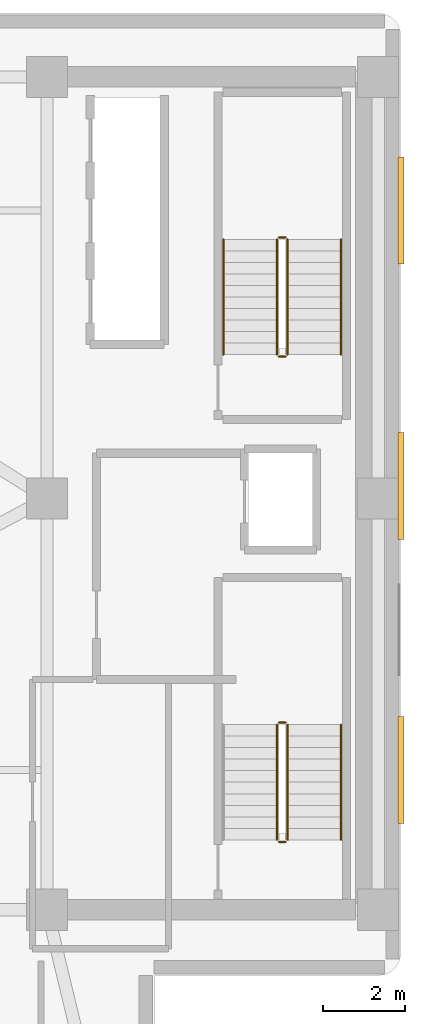
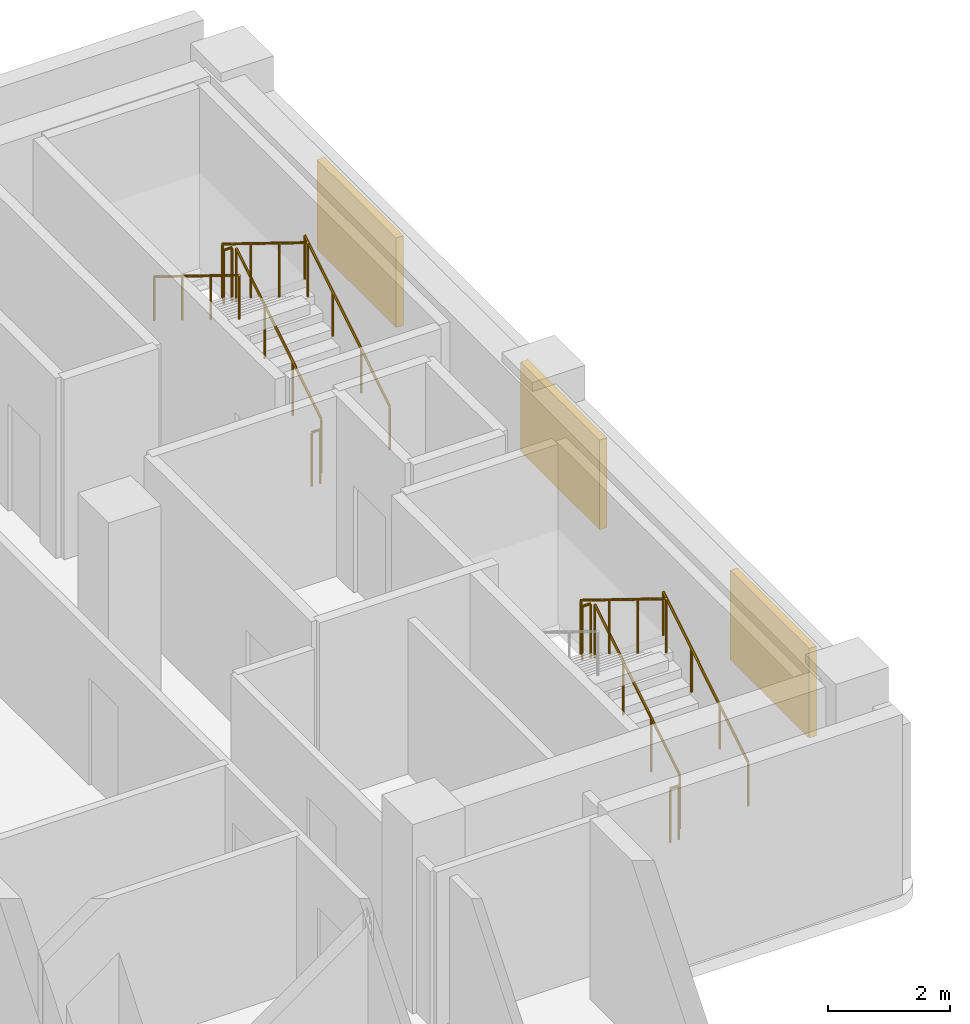
# One storey, part 15 of 15: 11 railings, 3 shading devices.
"""IFC4 building model written with IfcOpenShell, lengths in metres."""

from ifc_helpers import new_model, si_unit, direction, frame, origin, origin_2d, place, context, subcontext, project, spatial, rectangle, circle, extrude, material, layer, layer_set, type_object, element, save


model = new_model("IFC4")

# Units and contexts
model_context = context("Model", 3, precision=1e-05, world=origin(), true_north=direction((0.0, 1.0)))
body_context = subcontext(model_context, "Body", "Model", "MODEL_VIEW")
ifc_project = project(units=[si_unit("LENGTHUNIT", "METRE"), si_unit("AREAUNIT", "SQUARE_METRE"), si_unit("VOLUMEUNIT", "CUBIC_METRE"), si_unit("PLANEANGLEUNIT", "RADIAN"), si_unit("MASSUNIT", "GRAM", prefix="KILO")], contexts=[model_context])

# Site, building, storey
site_placement = place(None, origin())
site = spatial("IfcSite", under=ifc_project, at=site_placement, CompositionType="ELEMENT")
building_placement = place(site_placement, origin())
building = spatial("IfcBuilding", under=site, at=building_placement, Name="Kuzgunbayir Cultural Tower", CompositionType="ELEMENT")
storey_placement = place(building_placement, frame((0.0, 0.0, 39.800048828125)))
storey = spatial("IfcBuildingStorey", under=building, at=storey_placement, Name="L10", CompositionType="ELEMENT", Elevation=39.800048828125)

# Railings
ifc_material_1 = material(Name="Brushed Stainless Steel", Category="steel")
ifc_layer_1 = layer(ifc_material_1, 0.050048828125)
ifc_layer_set_1 = layer_set([ifc_layer_1], Name="Brushed Stainless Steel")
railing_type_1 = type_object("IfcRailingType", Name="RLG-STAIR-HANDRAIL", PredefinedType="HANDRAIL", material=ifc_layer_set_1)
for number, where, name in (
    (1, (71.75, 23.699951171875, 0.172607421875), "L10 ST-3 stair handrail 1"),
    (2, (71.75, 35.5, 0.172607421875), "L10 ST-4 stair handrail 1"),
):
    element("IfcRailing", number, at=place(storey_placement, frame(where)), inside=storey, type_object=railing_type_1, Name=name, PredefinedType="HANDRAIL", context=body_context, shape_type="SweptSolid", body=[
        extrude(circle(Radius=0.02392578125, at=origin_2d()), frame((0.0, 0.0, 0.8759765625), z_axis=(0.0, 0.851089632645, 0.525020415988), x_axis=(-1.0, 0.0, 0.0)), (0.0, 0.0, 1.0), 3.2900390625),
        extrude(circle(Radius=0.02099609375, at=origin_2d()), origin(), (0.0, 0.0, 1.0), 0.851806640625),
        extrude(circle(Radius=0.02099609375, at=origin_2d()), frame((0.0, 0.933349609375, 0.57568359375)), (0.0, 0.0, 1.0), 0.851806640625),
        extrude(circle(Radius=0.02099609375, at=origin_2d()), frame((0.0, 1.86669921875, 1.151611328125)), (0.0, 0.0, 1.0), 0.851806640625),
        extrude(circle(Radius=0.02099609375, at=origin_2d()), frame((0.0, 2.800048828125, 1.727294921875)), (0.0, 0.0, 1.0), 0.851806640625),
    ])
railing_1_placement = place(storey_placement, frame((68.889892578125, 38.300048828125, 2.07275390625)))
element("IfcRailing", 3, at=railing_1_placement, inside=storey, type_object=railing_type_1, Name="L10 ST-4 stair handrail 2", PredefinedType="HANDRAIL", context=body_context, shape_type="SweptSolid", body=[
    extrude(circle(Radius=0.02392578125, at=origin_2d()), frame((0.0, 0.0, 0.8759765625), z_axis=(0.0, -0.851089632645, 0.525020415988), x_axis=(1.0, 0.0, 0.0)), (0.0, 0.0, 1.0), 3.2900390625),
    extrude(circle(Radius=0.02099609375, at=origin_2d()), origin(), (0.0, 0.0, 1.0), 0.851806640625),
    extrude(circle(Radius=0.02099609375, at=origin_2d()), frame((0.0, -0.933349609375, 0.57568359375)), (0.0, 0.0, 1.0), 0.851806640625),
    extrude(circle(Radius=0.02099609375, at=origin_2d()), frame((0.0, -1.86669921875, 1.151611328125)), (0.0, 0.0, 1.0), 0.851806640625),
    extrude(circle(Radius=0.02099609375, at=origin_2d()), frame((0.0, -2.800048828125, 1.727294921875)), (0.0, 0.0, 1.0), 0.851806640625),
])
ifc_material_2 = material(Name="Painted Steel Balustrade", Category="steel")
ifc_layer_2 = layer(ifc_material_2, 0.06005859375)
ifc_layer_set_2 = layer_set([ifc_layer_2], Name="Painted Steel Balustrade")
railing_type_2 = type_object("IfcRailingType", Name="RLG-WELL-GUARD", PredefinedType="GUARDRAIL", material=ifc_layer_set_2)
railing_2_placement = place(storey_placement, frame((70.449951171875, 23.699951171875, 0.172607421875)))
element("IfcRailing", 4, at=railing_2_placement, inside=storey, type_object=railing_type_2, Name="L10 ST-3 stair guard 1", PredefinedType="GUARDRAIL", context=body_context, shape_type="SweptSolid", body=[
    extrude(circle(Radius=0.02392578125, at=origin_2d()), frame((0.0, 0.0, 1.076171875), z_axis=(0.0, 0.851089632645, 0.525020415988), x_axis=(-1.0, 0.0, 0.0)), (0.0, 0.0, 1.0), 3.2900390625),
    extrude(circle(Radius=0.02099609375, at=origin_2d()), origin(), (0.0, 0.0, 1.0), 1.052001953125),
    extrude(circle(Radius=0.02099609375, at=origin_2d()), frame((0.0, 0.933349609375, 0.57568359375)), (0.0, 0.0, 1.0), 1.052001953125),
    extrude(circle(Radius=0.02099609375, at=origin_2d()), frame((0.0, 1.86669921875, 1.151611328125)), (0.0, 0.0, 1.0), 1.052001953125),
    extrude(circle(Radius=0.02099609375, at=origin_2d()), frame((0.0, 2.800048828125, 1.727294921875)), (0.0, 0.0, 1.0), 1.052001953125),
])
railing_3_placement = place(storey_placement, frame((70.39990234375, 26.550048828125, 1.89990234375)))
element("IfcRailing", 5, at=railing_3_placement, inside=storey, type_object=railing_type_2, Name="L10 ST-3 stair guard 2", PredefinedType="GUARDRAIL", context=body_context, shape_type="SweptSolid", body=[
    extrude(circle(Radius=0.02392578125, at=origin_2d()), frame((0.0, 0.0, 1.076171875), z_axis=(-1.0, 0.0, 0.0), x_axis=(0.0, -1.0, 0.0)), (0.0, 0.0, 1.0), 0.159912109375),
    extrude(circle(Radius=0.02099609375, at=origin_2d()), origin(), (0.0, 0.0, 1.0), 1.052001953125),
    extrude(circle(Radius=0.02099609375, at=origin_2d()), frame((-0.159912109375, 0.0, 0.0)), (0.0, 0.0, 1.0), 1.052001953125),
])
railing_4_placement = place(storey_placement, frame((70.18994140625, 26.5, 2.07275390625)))
element("IfcRailing", 6, at=railing_4_placement, inside=storey, type_object=railing_type_2, Name="L10 ST-3 stair guard 3", PredefinedType="GUARDRAIL", context=body_context, shape_type="SweptSolid", body=[
    extrude(circle(Radius=0.02392578125, at=origin_2d()), frame((0.0, 0.0, 1.076171875), z_axis=(0.0, -0.851089632645, 0.525020415988), x_axis=(1.0, 0.0, 0.0)), (0.0, 0.0, 1.0), 3.2900390625),
    extrude(circle(Radius=0.02099609375, at=origin_2d()), origin(), (0.0, 0.0, 1.0), 1.052001953125),
    extrude(circle(Radius=0.02099609375, at=origin_2d()), frame((0.0, -0.933349609375, 0.57568359375)), (0.0, 0.0, 1.0), 1.052001953125),
    extrude(circle(Radius=0.02099609375, at=origin_2d()), frame((0.0, -1.86669921875, 1.151611328125)), (0.0, 0.0, 1.0), 1.052001953125),
    extrude(circle(Radius=0.02099609375, at=origin_2d()), frame((0.0, -2.800048828125, 1.727294921875)), (0.0, 0.0, 1.0), 1.052001953125),
])
railing_5_placement = place(storey_placement, frame((70.39990234375, 23.64990234375, 0.0)))
element("IfcRailing", 7, at=railing_5_placement, inside=storey, type_object=railing_type_2, Name="L10 ST-3 stair guard 4", PredefinedType="GUARDRAIL", context=body_context, shape_type="SweptSolid", body=[
    extrude(circle(Radius=0.02392578125, at=origin_2d()), frame((0.0, 0.0, 1.076171875), z_axis=(-1.0, 0.0, 0.0), x_axis=(0.0, -1.0, 0.0)), (0.0, 0.0, 1.0), 0.159912109375),
    extrude(circle(Radius=0.02099609375, at=origin_2d()), origin(), (0.0, 0.0, 1.0), 1.052001953125),
    extrude(circle(Radius=0.02099609375, at=origin_2d()), frame((-0.159912109375, 0.0, 0.0)), (0.0, 0.0, 1.0), 1.052001953125),
])
railing_6_placement = place(storey_placement, frame((70.449951171875, 35.5, 0.172607421875)))
element("IfcRailing", 8, at=railing_6_placement, inside=storey, type_object=railing_type_2, Name="L10 ST-4 stair guard 1", PredefinedType="GUARDRAIL", context=body_context, shape_type="SweptSolid", body=[
    extrude(circle(Radius=0.02392578125, at=origin_2d()), frame((0.0, 0.0, 1.076171875), z_axis=(0.0, 0.851089632645, 0.525020415988), x_axis=(-1.0, 0.0, 0.0)), (0.0, 0.0, 1.0), 3.2900390625),
    extrude(circle(Radius=0.02099609375, at=origin_2d()), origin(), (0.0, 0.0, 1.0), 1.052001953125),
    extrude(circle(Radius=0.02099609375, at=origin_2d()), frame((0.0, 0.933349609375, 0.57568359375)), (0.0, 0.0, 1.0), 1.052001953125),
    extrude(circle(Radius=0.02099609375, at=origin_2d()), frame((0.0, 1.86669921875, 1.151611328125)), (0.0, 0.0, 1.0), 1.052001953125),
    extrude(circle(Radius=0.02099609375, at=origin_2d()), frame((0.0, 2.800048828125, 1.727294921875)), (0.0, 0.0, 1.0), 1.052001953125),
])
railing_7_placement = place(storey_placement, frame((70.39990234375, 38.35009765625, 1.89990234375)))
element("IfcRailing", 9, at=railing_7_placement, inside=storey, type_object=railing_type_2, Name="L10 ST-4 stair guard 2", PredefinedType="GUARDRAIL", context=body_context, shape_type="SweptSolid", body=[
    extrude(circle(Radius=0.02392578125, at=origin_2d()), frame((0.0, 0.0, 1.076171875), z_axis=(-1.0, 0.0, 0.0), x_axis=(0.0, -1.0, 0.0)), (0.0, 0.0, 1.0), 0.159912109375),
    extrude(circle(Radius=0.02099609375, at=origin_2d()), origin(), (0.0, 0.0, 1.0), 1.052001953125),
    extrude(circle(Radius=0.02099609375, at=origin_2d()), frame((-0.159912109375, 0.0, 0.0)), (0.0, 0.0, 1.0), 1.052001953125),
])
railing_8_placement = place(storey_placement, frame((70.18994140625, 38.300048828125, 2.07275390625)))
element("IfcRailing", 10, at=railing_8_placement, inside=storey, type_object=railing_type_2, Name="L10 ST-4 stair guard 3", PredefinedType="GUARDRAIL", context=body_context, shape_type="SweptSolid", body=[
    extrude(circle(Radius=0.02392578125, at=origin_2d()), frame((0.0, 0.0, 1.076171875), z_axis=(0.0, -0.851089632645, 0.525020415988), x_axis=(1.0, 0.0, 0.0)), (0.0, 0.0, 1.0), 3.2900390625),
    extrude(circle(Radius=0.02099609375, at=origin_2d()), origin(), (0.0, 0.0, 1.0), 1.052001953125),
    extrude(circle(Radius=0.02099609375, at=origin_2d()), frame((0.0, -0.933349609375, 0.57568359375)), (0.0, 0.0, 1.0), 1.052001953125),
    extrude(circle(Radius=0.02099609375, at=origin_2d()), frame((0.0, -1.86669921875, 1.151611328125)), (0.0, 0.0, 1.0), 1.052001953125),
    extrude(circle(Radius=0.02099609375, at=origin_2d()), frame((0.0, -2.800048828125, 1.727294921875)), (0.0, 0.0, 1.0), 1.052001953125),
])
railing_9_placement = place(storey_placement, frame((70.39990234375, 35.449951171875, 0.0)))
element("IfcRailing", 11, at=railing_9_placement, inside=storey, type_object=railing_type_2, Name="L10 ST-4 stair guard 4", PredefinedType="GUARDRAIL", context=body_context, shape_type="SweptSolid", body=[
    extrude(circle(Radius=0.02392578125, at=origin_2d()), frame((0.0, 0.0, 1.076171875), z_axis=(-1.0, 0.0, 0.0), x_axis=(0.0, -1.0, 0.0)), (0.0, 0.0, 1.0), 0.159912109375),
    extrude(circle(Radius=0.02099609375, at=origin_2d()), origin(), (0.0, 0.0, 1.0), 1.052001953125),
    extrude(circle(Radius=0.02099609375, at=origin_2d()), frame((-0.159912109375, 0.0, 0.0)), (0.0, 0.0, 1.0), 1.052001953125),
])

# Shading devices
ifc_material_3 = material(Name="Perforated Bronze-Anodised Aluminium", Category="aluminium")
shading_device_type = type_object("IfcShadingDeviceType", Name="SHD-SOLAR-BRONZE", PredefinedType="JALOUSIE", material=ifc_material_3)
for number, where, z_axis, x_axis, name in (
    (12, (73.2099609375, 25.39990234375, 0.7998046875), (0.0, 0.0, 1.0), (1.0, 0.0, 0.0), "L10 Companion East Bronze Solar Screen 25"),
    (13, (73.2099609375, 32.300048828125, 0.7998046875), (0.0, 0.0, 1.0), (1.0, 0.0, 0.0), "L10 Companion East Bronze Solar Screen 32"),
    (14, (73.2099609375, 39.0, 0.7998046875), (0.0, 0.0, 1.0), (1.0, 0.0, 0.0), "L10 Companion East Bronze Solar Screen 39"),
):
    element("IfcShadingDevice", number, at=place(storey_placement, frame(where, z_axis=z_axis, x_axis=x_axis)), inside=storey, type_object=shading_device_type, Name=name, PredefinedType="JALOUSIE", context=body_context, shape_type="SweptSolid", body=[
        extrude(rectangle(XDim=0.139892578125, YDim=2.60009765625, at=origin_2d()), origin(), (0.0, 0.0, 1.0), 1.800048828125),
    ])

save(model, "model.ifc")
